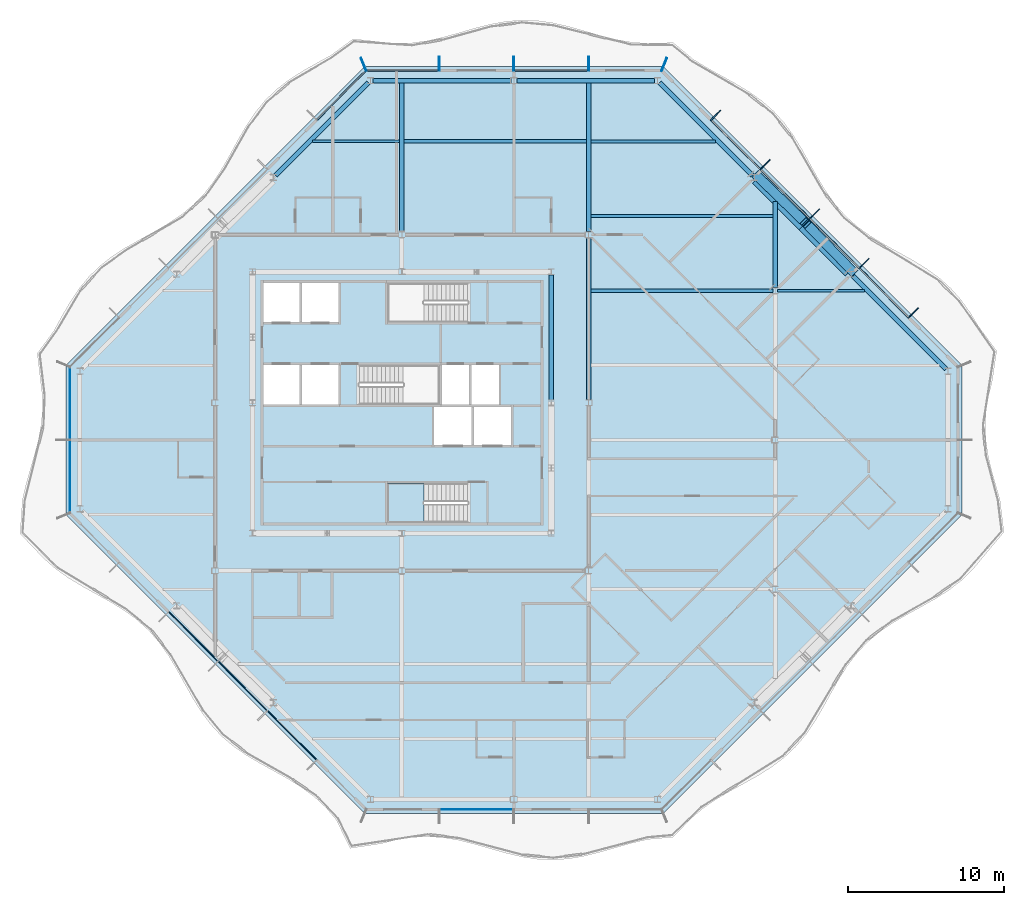
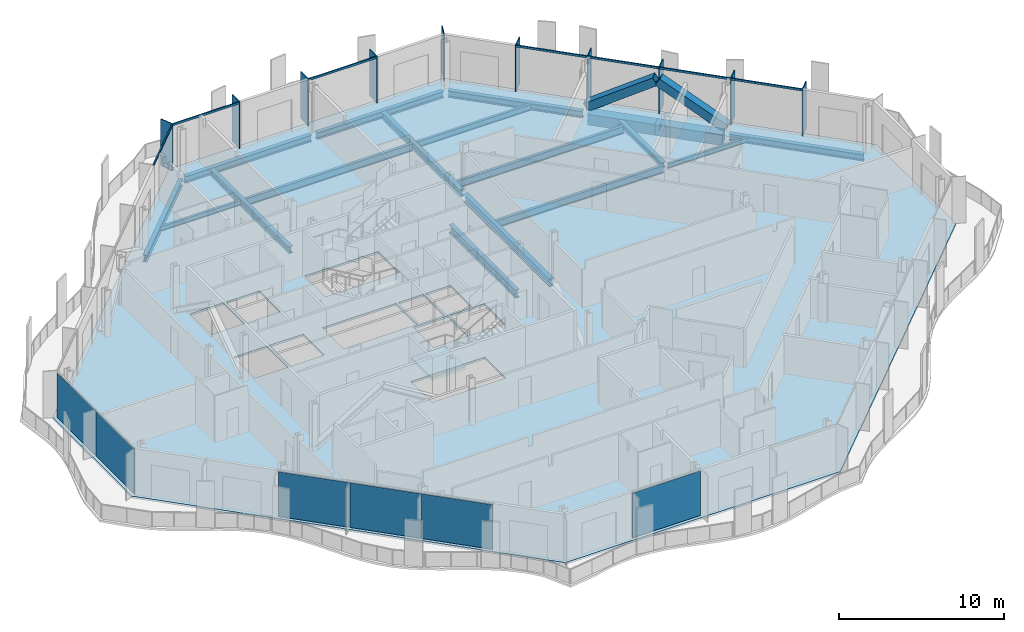
# One storey, part 5 of 17: 19 members, 18 beams, 6 plates, 2 slabs, 7 elements without a shape of their own.
"""IFC4 building model written with IfcOpenShell, lengths in metres."""

from ifc_helpers import new_model, si_unit, direction, frame, origin, origin_2d, place, context, subcontext, project, spatial, polyline, rectangle, hollow_rectangle, i_section, outline, extrude, material, layer, layer_set, material_profile, profile_set, type_object, element, aggregate, save


model = new_model("IFC4")

# Units and contexts
model_context = context("Model", 3, precision=1e-05, world=origin(), true_north=direction((0.0, 1.0)))
body_context = subcontext(model_context, "Body", "Model", "MODEL_VIEW")
ifc_project = project(units=[si_unit("LENGTHUNIT", "METRE"), si_unit("AREAUNIT", "SQUARE_METRE"), si_unit("VOLUMEUNIT", "CUBIC_METRE"), si_unit("PLANEANGLEUNIT", "RADIAN"), si_unit("MASSUNIT", "GRAM", prefix="KILO")], contexts=[model_context])

# Site, building, storey
site_placement = place(None, origin())
site = spatial("IfcSite", under=ifc_project, at=site_placement, CompositionType="ELEMENT")
building_placement = place(site_placement, origin())
building = spatial("IfcBuilding", under=site, at=building_placement, Name="Cairn Pilgrim Tower", CompositionType="ELEMENT")
storey_placement = place(building_placement, frame((0.0, 0.0, 235.800048828125)))
storey = spatial("IfcBuildingStorey", under=building, at=storey_placement, Name="L60", CompositionType="ELEMENT", Elevation=235.800048828125)

# Members
ifc_material_1 = material(Name="Structural steel S460M", Category="steel")
ifc_material_profile_1 = material_profile(ifc_material_1, hollow_rectangle(XDim=0.60009765625, YDim=0.60009765625, WallThickness=0.034912109375, at=origin_2d()), Name="BOX 600x600x35")
ifc_profile_set_1 = profile_set([ifc_material_profile_1], Name="Structural steel S460M")
member_type_1 = type_object("IfcMemberType", Name="BOX 600x600x35 BRACE", PredefinedType="BRACE", material=ifc_profile_set_1)
for number, where, z_axis, x_axis, name in (
    (1, (36.194580078125, 10.813232421875, 0.14990234375), (-0.593141693494, 0.611806144004, 0.523331800675), (-0.717973624454, -0.696070308653, 0.0), "XB-NE2-NE3-1"),
    (2, (30.01318359375, 16.99462890625, 0.14990234375), (0.611806144004, -0.593141693494, 0.523331800675), (0.696070308653, 0.717973624454, 0.0), "XB-NE2-NE3-2"),
):
    element("IfcMember", number, at=place(storey_placement, frame(where, z_axis=z_axis, x_axis=x_axis)), inside=storey, type_object=member_type_1, Name=name, PredefinedType="BRACE", context=body_context, shape_type="SweptSolid", body=[
        extrude(hollow_rectangle(XDim=0.60009765625, YDim=0.60009765625, WallThickness=0.034912109375, at=origin_2d()), origin(), (0.0, 0.0, 1.0), 5.035888671875),
    ])

# Beams
ifc_material_2 = material(Name="Structural steel S355J2", Category="steel")
ifc_material_profile_2 = material_profile(ifc_material_2, hollow_rectangle(XDim=0.699951171875, YDim=0.800048828125, WallThickness=0.0400390625, at=origin_2d()), Name="BOX 700x800x40")
ifc_profile_set_2 = profile_set([ifc_material_profile_2], Name="Structural steel S355J2")
beam_type_1 = type_object("IfcBeamType", Name="BOX 700x800x40 RING GIRDER", PredefinedType="SPANDREL", material=ifc_profile_set_2)
for number, where, z_axis, x_axis, name in (
    (3, (35.947265625, 10.780029296875, -0.550048828125), (-0.707106781187, 0.707106781187, 0.0), (-0.707106781187, -0.707106781187, 0.0), "RG3-NE2-NE3-1"),
    (4, (32.963623046875, 13.763671875, -0.550048828125), (-0.707106781187, 0.707106781187, 0.0), (-0.707106781187, -0.707106781187, 0.0), "RG3-NE2-NE3-2"),
):
    element("IfcBeam", number, at=place(storey_placement, frame(where, z_axis=z_axis, x_axis=x_axis)), inside=storey, type_object=beam_type_1, Name=name, PredefinedType="SPANDREL", context=body_context, shape_type="SweptSolid", body=[
        extrude(hollow_rectangle(XDim=0.699951171875, YDim=0.800048828125, WallThickness=0.0400390625, at=origin_2d()), origin(), (0.0, 0.0, 1.0), 4.219482421875),
    ])

# Curtain wall, members
ifc_material_3 = material(Name="Aluminium alloy 6063-T6 bronze anodised with Bronze tinted laminated low-E glass 8+16+8.8", Category="aluminium")
curtain_wall_type_1 = type_object("IfcCurtainWallType", Name="CHAMFER CORNER CURTAIN WALL", PredefinedType="NOTDEFINED", material=ifc_material_3)
curtain_wall_1_placement = place(storey_placement, origin())
curtain_wall_1 = element("IfcCurtainWall", 5, at=curtain_wall_1_placement, inside=storey, type_object=curtain_wall_type_1, Name="Chamfer Corner Curtain Wall NE", PredefinedType="NOTDEFINED")
ifc_material_4 = material(Name="Aluminium alloy 6063-T6 bronze anodised", Category="aluminium")
ifc_material_profile_3 = material_profile(ifc_material_4, rectangle(XDim=0.89990234375, YDim=0.06005859375, at=origin_2d()), Name="FIN MULLION 60x900 BRONZE")
ifc_profile_set_3 = profile_set([ifc_material_profile_3], Name="Aluminium alloy 6063-T6 bronze anodised")
member_type_2 = type_object("IfcMemberType", Name="FIN MULLION 60x900 BRONZE", PredefinedType="MULLION", material=ifc_profile_set_3)
member_1_placement = place(storey_placement, frame((40.0712890625, 8.1689453125, 0.0), z_axis=(0.0, 0.0, 1.0), x_axis=(0.707106781187, 0.707106781187, 0.0)))
member_1 = element("IfcMember", 6, at=member_1_placement, type_object=member_type_2, Name="Fin mullion NE2", PredefinedType="MULLION", context=body_context, shape_type="SweptSolid", body=[
    extrude(rectangle(XDim=0.89990234375, YDim=0.06005859375, at=origin_2d()), origin(), (0.0, 0.0, 1.0), 3.449951171875),
])
member_2_placement = place(storey_placement, frame((36.895751953125, 11.3447265625, 0.0), z_axis=(0.0, 0.0, 1.0), x_axis=(0.707106781187, 0.707106781187, 0.0)))
member_2 = element("IfcMember", 7, at=member_2_placement, type_object=member_type_2, Name="Fin mullion NE3", PredefinedType="MULLION", context=body_context, shape_type="SweptSolid", body=[
    extrude(rectangle(XDim=0.89990234375, YDim=0.06005859375, at=origin_2d()), origin(), (0.0, 0.0, 1.0), 3.449951171875),
])
member_3_placement = place(storey_placement, frame((33.72021484375, 14.520263671875, 0.0), z_axis=(0.0, 0.0, 1.0), x_axis=(0.707106781187, 0.707106781187, 0.0)))
member_3 = element("IfcMember", 8, at=member_3_placement, type_object=member_type_2, Name="Fin mullion NE4", PredefinedType="MULLION", context=body_context, shape_type="SweptSolid", body=[
    extrude(rectangle(XDim=0.89990234375, YDim=0.06005859375, at=origin_2d()), origin(), (0.0, 0.0, 1.0), 3.449951171875),
])
member_4_placement = place(storey_placement, frame((30.544677734375, 17.69580078125, 0.0), z_axis=(0.0, 0.0, 1.0), x_axis=(0.707106781187, 0.707106781187, 0.0)))
member_4 = element("IfcMember", 9, at=member_4_placement, type_object=member_type_2, Name="Fin mullion NE5", PredefinedType="MULLION", context=body_context, shape_type="SweptSolid", body=[
    extrude(rectangle(XDim=0.89990234375, YDim=0.06005859375, at=origin_2d()), origin(), (0.0, 0.0, 1.0), 3.449951171875),
])
member_5_placement = place(storey_placement, frame((27.369140625, 20.871337890625, 0.0), z_axis=(0.0, 0.0, 1.0), x_axis=(0.707106781187, 0.707106781187, 0.0)))
member_5 = element("IfcMember", 10, at=member_5_placement, type_object=member_type_2, Name="Fin mullion NE6", PredefinedType="MULLION", context=body_context, shape_type="SweptSolid", body=[
    extrude(rectangle(XDim=0.89990234375, YDim=0.06005859375, at=origin_2d()), origin(), (0.0, 0.0, 1.0), 3.449951171875),
])

curtain_wall_type_2 = type_object("IfcCurtainWallType", Name="TOWER STICK CURTAIN WALL NS", PredefinedType="NOTDEFINED", material=ifc_material_3)
curtain_wall_2_placement = place(storey_placement, origin())
curtain_wall_2 = element("IfcCurtainWall", 11, at=curtain_wall_2_placement, inside=storey, type_object=curtain_wall_type_2, Name="Tower Stick Curtain Wall Ns N", PredefinedType="NOTDEFINED")
member_6_placement = place(storey_placement, frame((24.05712890625, 24.137939453125, 0.0), z_axis=(0.0, 0.0, 1.0), x_axis=(0.382683432365, 0.923879532511, 0.0)))
member_6 = element("IfcMember", 12, at=member_6_placement, type_object=member_type_2, Name="Fin mullion N1", PredefinedType="MULLION", context=body_context, shape_type="SweptSolid", body=[
    extrude(rectangle(XDim=0.89990234375, YDim=0.06005859375, at=origin_2d()), origin(), (0.0, 0.0, 1.0), 3.449951171875),
])
member_7_placement = place(storey_placement, frame((19.199951171875, 24.169921875, 0.0), z_axis=(0.0, 0.0, 1.0), x_axis=(0.0, 1.0, 0.0)))
member_7 = element("IfcMember", 13, at=member_7_placement, type_object=member_type_2, Name="Fin mullion N2", PredefinedType="MULLION", context=body_context, shape_type="SweptSolid", body=[
    extrude(rectangle(XDim=0.89990234375, YDim=0.06005859375, at=origin_2d()), origin(), (0.0, 0.0, 1.0), 3.449951171875),
])
member_8_placement = place(storey_placement, frame((14.39990234375, 24.169921875, 0.0), z_axis=(0.0, 0.0, 1.0), x_axis=(0.0, 1.0, 0.0)))
member_8 = element("IfcMember", 14, at=member_8_placement, type_object=member_type_2, Name="Fin mullion N3", PredefinedType="MULLION", context=body_context, shape_type="SweptSolid", body=[
    extrude(rectangle(XDim=0.89990234375, YDim=0.06005859375, at=origin_2d()), origin(), (0.0, 0.0, 1.0), 3.449951171875),
])
member_9_placement = place(storey_placement, frame((9.60009765625, 24.169921875, 0.0), z_axis=(0.0, 0.0, 1.0), x_axis=(0.0, 1.0, 0.0)))
member_9 = element("IfcMember", 15, at=member_9_placement, type_object=member_type_2, Name="Fin mullion N4", PredefinedType="MULLION", context=body_context, shape_type="SweptSolid", body=[
    extrude(rectangle(XDim=0.89990234375, YDim=0.06005859375, at=origin_2d()), origin(), (0.0, 0.0, 1.0), 3.449951171875),
])

# Curtain wall, member
curtain_wall_3_placement = place(storey_placement, origin())
curtain_wall_3 = element("IfcCurtainWall", 16, at=curtain_wall_3_placement, inside=storey, type_object=curtain_wall_type_1, Name="Chamfer Corner Curtain Wall NW", PredefinedType="NOTDEFINED")
member_10_placement = place(storey_placement, frame((4.742919921875, 24.137939453125, 0.0), z_axis=(0.0, 0.0, 1.0), x_axis=(-0.382683432365, 0.923879532511, 0.0)))
member_10 = element("IfcMember", 17, at=member_10_placement, type_object=member_type_2, Name="Fin mullion NW1", PredefinedType="MULLION", context=body_context, shape_type="SweptSolid", body=[
    extrude(rectangle(XDim=0.89990234375, YDim=0.06005859375, at=origin_2d()), origin(), (0.0, 0.0, 1.0), 3.449951171875),
])

# Beams
ifc_material_profile_4 = material_profile(ifc_material_2, i_section(OverallWidth=0.300048828125, OverallDepth=0.39990234375, WebThickness=0.013427734375, FlangeThickness=0.02392578125, FilletRadius=0.027099609375, at=origin_2d()), Name="HEB 400")
ifc_profile_set_4 = profile_set([ifc_material_profile_4], Name="Structural steel S355J2")
beam_type_2 = type_object("IfcBeamType", Name="HEB 400 GIRDER", PredefinedType="BEAM", material=ifc_profile_set_4)
beam_1_placement = place(storey_placement, frame((31.199951171875, 9.799560546875, -0.35009765625), z_axis=(0.0, 1.0, 0.0), x_axis=(-1.0, 0.0, 0.0)))
element("IfcBeam", 18, at=beam_1_placement, inside=storey, type_object=beam_type_2, Name="PG5-4", PredefinedType="BEAM", context=body_context, shape_type="SweptSolid", body=[
    extrude(i_section(OverallWidth=0.300048828125, OverallDepth=0.39990234375, WebThickness=0.013427734375, FlangeThickness=0.02392578125, FilletRadius=0.027099609375, at=origin_2d()), origin(), (0.0, 0.0, 1.0), 5.545654296875),
])
ifc_material_profile_5 = material_profile(ifc_material_2, i_section(OverallWidth=0.300048828125, OverallDepth=0.5, WebThickness=0.014404296875, FlangeThickness=0.028076171875, FilletRadius=0.027099609375, at=origin_2d()), Name="HEB 500")
ifc_profile_set_5 = profile_set([ifc_material_profile_5], Name="Structural steel S355J2")
beam_type_3 = type_object("IfcBeamType", Name="HEB 500 GIRDER", PredefinedType="BEAM", material=ifc_profile_set_5)
for number, where, z_axis, x_axis, name in (
    (19, (7.199951171875, 13.39697265625, -0.400146484375), (0.0, 1.0, 0.0), (-1.0, 0.0, 0.0), "PG3-2"),
    (20, (19.199951171875, 13.39697265625, -0.400146484375), (0.0, 1.0, 0.0), (-1.0, 0.0, 0.0), "PG4-4"),
):
    element("IfcBeam", number, at=place(storey_placement, frame(where, z_axis=z_axis, x_axis=x_axis)), inside=storey, type_object=beam_type_3, Name=name, PredefinedType="BEAM", context=body_context, shape_type="SweptSolid", body=[
        extrude(i_section(OverallWidth=0.300048828125, OverallDepth=0.5, WebThickness=0.014404296875, FlangeThickness=0.028076171875, FilletRadius=0.027099609375, at=origin_2d()), origin(), (0.0, 0.0, 1.0), 9.5830078125),
    ])
ifc_material_profile_6 = material_profile(ifc_material_2, i_section(OverallWidth=0.300048828125, OverallDepth=0.5, WebThickness=0.014404296875, FlangeThickness=0.028076171875, FilletRadius=0.027099609375, at=origin_2d()), Name="HEB 500")
ifc_profile_set_6 = profile_set([ifc_material_profile_6], Name="Structural steel S355J2")
beam_type_4 = type_object("IfcBeamType", Name="HEB 500 RING GIRDER", PredefinedType="SPANDREL", material=ifc_profile_set_6)
for number, where, z_axis, x_axis, name in (
    (21, (42.17138671875, 4.555908203125, -0.400146484375), (-0.707106781187, 0.707106781187, 0.0), (-0.707106781187, -0.707106781187, 0.0), "RG3-NE1-NE2"),
    (22, (29.722900390625, 17.00439453125, -0.400146484375), (-0.707106781187, 0.707106781187, 0.0), (-0.707106781187, -0.707106781187, 0.0), "RG3-NE3-N1"),
):
    element("IfcBeam", number, at=place(storey_placement, frame(where, z_axis=z_axis, x_axis=x_axis)), inside=storey, type_object=beam_type_4, Name=name, PredefinedType="SPANDREL", context=body_context, shape_type="SweptSolid", body=[
        extrude(i_section(OverallWidth=0.300048828125, OverallDepth=0.5, WebThickness=0.014404296875, FlangeThickness=0.028076171875, FilletRadius=0.027099609375, at=origin_2d()), origin(), (0.0, 0.0, 1.0), 8.438720703125),
    ])
beam_2_placement = place(storey_placement, frame((23.4453125, 23.10009765625, -0.400146484375), z_axis=(-1.0, 0.0, 0.0), x_axis=(0.0, -1.0, 0.0)))
element("IfcBeam", 23, at=beam_2_placement, inside=storey, type_object=beam_type_4, Name="RG3-N1-N2", PredefinedType="SPANDREL", context=body_context, shape_type="SweptSolid", body=[
    extrude(i_section(OverallWidth=0.300048828125, OverallDepth=0.5, WebThickness=0.014404296875, FlangeThickness=0.028076171875, FilletRadius=0.027099609375, at=origin_2d()), origin(), (0.0, 0.0, 1.0), 8.863525390625),
])
beam_3_placement = place(storey_placement, frame((14.21826171875, 23.10009765625, -0.400146484375), z_axis=(-1.0, 0.0, 0.0), x_axis=(0.0, -1.0, 0.0)))
element("IfcBeam", 24, at=beam_3_placement, inside=storey, type_object=beam_type_4, Name="RG3-N2-NW1", PredefinedType="SPANDREL", context=body_context, shape_type="SweptSolid", body=[
    extrude(i_section(OverallWidth=0.300048828125, OverallDepth=0.5, WebThickness=0.014404296875, FlangeThickness=0.028076171875, FilletRadius=0.027099609375, at=origin_2d()), origin(), (0.0, 0.0, 1.0), 8.86376953125),
])
beam_4_placement = place(storey_placement, frame((5.044189453125, 22.971435546875, -0.400146484375), z_axis=(-0.707106781187, -0.707106781187, 0.0), x_axis=(0.707106781187, -0.707106781187, 0.0)))
element("IfcBeam", 25, at=beam_4_placement, inside=storey, type_object=beam_type_4, Name="RG3-NW1-NW2", PredefinedType="SPANDREL", context=body_context, shape_type="SweptSolid", body=[
    extrude(i_section(OverallWidth=0.300048828125, OverallDepth=0.5, WebThickness=0.014404296875, FlangeThickness=0.028076171875, FilletRadius=0.027099609375, at=origin_2d()), origin(), (0.0, 0.0, 1.0), 8.438720703125),
])
ifc_material_profile_7 = material_profile(ifc_material_2, i_section(OverallWidth=0.300048828125, OverallDepth=0.60009765625, WebThickness=0.015380859375, FlangeThickness=0.030029296875, FilletRadius=0.027099609375, at=origin_2d()), Name="HEB 600")
ifc_profile_set_7 = profile_set([ifc_material_profile_7], Name="Structural steel S355J2")
beam_type_5 = type_object("IfcBeamType", Name="HEB 600 CORE BEAM", PredefinedType="BEAM", material=ifc_profile_set_7)
beam_5_placement = place(storey_placement, frame((16.800048828125, 2.5791015625, -0.449951171875), z_axis=(0.0, 1.0, 0.0), x_axis=(-1.0, 0.0, 0.0)))
element("IfcBeam", 26, at=beam_5_placement, inside=storey, type_object=beam_type_5, Name="CB-4", PredefinedType="BEAM", context=body_context, shape_type="SweptSolid", body=[
    extrude(i_section(OverallWidth=0.300048828125, OverallDepth=0.60009765625, WebThickness=0.015380859375, FlangeThickness=0.030029296875, FilletRadius=0.027099609375, at=origin_2d()), origin(), (0.0, 0.0, 1.0), 8.041748046875),
])
ifc_material_profile_8 = material_profile(ifc_material_2, i_section(OverallWidth=0.300048828125, OverallDepth=0.60009765625, WebThickness=0.015380859375, FlangeThickness=0.030029296875, FilletRadius=0.027099609375, at=origin_2d()), Name="HEB 600")
ifc_profile_set_8 = profile_set([ifc_material_profile_8], Name="Structural steel S355J2")
beam_type_6 = type_object("IfcBeamType", Name="HEB 600 GIRDER", PredefinedType="BEAM", material=ifc_profile_set_8)
beam_6_placement = place(storey_placement, frame((19.199951171875, 2.596923828125, -0.449951171875), z_axis=(0.0, 1.0, 0.0), x_axis=(-1.0, 0.0, 0.0)))
element("IfcBeam", 27, at=beam_6_placement, inside=storey, type_object=beam_type_6, Name="PG4-3", PredefinedType="BEAM", context=body_context, shape_type="SweptSolid", body=[
    extrude(i_section(OverallWidth=0.300048828125, OverallDepth=0.60009765625, WebThickness=0.015380859375, FlangeThickness=0.030029296875, FilletRadius=0.027099609375, at=origin_2d()), origin(), (0.0, 0.0, 1.0), 10.406005859375),
])
ifc_material_profile_9 = material_profile(ifc_material_2, i_section(OverallWidth=0.169921875, OverallDepth=0.360107421875, WebThickness=0.008056640625, FlangeThickness=0.0126953125, FilletRadius=0.01806640625, at=origin_2d()), Name="IPE 360")
ifc_profile_set_9 = profile_set([ifc_material_profile_9], Name="Structural steel S355J2")
beam_type_7 = type_object("IfcBeamType", Name="IPE 360 SECONDARY BEAM", PredefinedType="JOIST", material=ifc_profile_set_9)
beam_7_placement = place(storey_placement, frame((31.35009765625, 9.60009765625, -0.330078125), z_axis=(1.0, 0.0, 0.0), x_axis=(0.0, 1.0, 0.0)))
element("IfcBeam", 28, at=beam_7_placement, inside=storey, type_object=beam_type_7, Name="SB7-3", PredefinedType="JOIST", context=body_context, shape_type="SweptSolid", body=[
    extrude(i_section(OverallWidth=0.169921875, OverallDepth=0.360107421875, WebThickness=0.008056640625, FlangeThickness=0.0126953125, FilletRadius=0.01806640625, at=origin_2d()), origin(), (0.0, 0.0, 1.0), 5.594970703125),
])
beam_8_placement = place(storey_placement, frame((1.454833984375, 19.199951171875, -0.330078125), z_axis=(1.0, 0.0, 0.0), x_axis=(0.0, 1.0, 0.0)))
element("IfcBeam", 29, at=beam_8_placement, inside=storey, type_object=beam_type_7, Name="SB9-1", PredefinedType="JOIST", context=body_context, shape_type="SweptSolid", body=[
    extrude(i_section(OverallWidth=0.169921875, OverallDepth=0.360107421875, WebThickness=0.008056640625, FlangeThickness=0.0126953125, FilletRadius=0.01806640625, at=origin_2d()), origin(), (0.0, 0.0, 1.0), 5.59521484375),
])
ifc_material_profile_10 = material_profile(ifc_material_2, i_section(OverallWidth=0.18994140625, OverallDepth=0.449951171875, WebThickness=0.009521484375, FlangeThickness=0.0146484375, FilletRadius=0.02099609375, at=origin_2d()), Name="IPE 450")
ifc_profile_set_10 = profile_set([ifc_material_profile_10], Name="Structural steel S355J2")
beam_type_8 = type_object("IfcBeamType", Name="IPE 450 SECONDARY BEAM", PredefinedType="JOIST", material=ifc_profile_set_10)
beam_9_placement = place(storey_placement, frame((19.35009765625, 19.199951171875, -0.375), z_axis=(1.0, 0.0, 0.0), x_axis=(0.0, 1.0, 0.0)))
element("IfcBeam", 30, at=beam_9_placement, inside=storey, type_object=beam_type_8, Name="SB9-3", PredefinedType="JOIST", context=body_context, shape_type="SweptSolid", body=[
    extrude(i_section(OverallWidth=0.18994140625, OverallDepth=0.449951171875, WebThickness=0.009521484375, FlangeThickness=0.0146484375, FilletRadius=0.02099609375, at=origin_2d()), origin(), (0.0, 0.0, 1.0), 7.9951171875),
])
ifc_material_profile_11 = material_profile(ifc_material_2, i_section(OverallWidth=0.2099609375, OverallDepth=0.550048828125, WebThickness=0.010986328125, FlangeThickness=0.01708984375, FilletRadius=0.02392578125, at=origin_2d()), Name="IPE 550")
ifc_profile_set_11 = profile_set([ifc_material_profile_11], Name="Structural steel S355J2")
beam_type_9 = type_object("IfcBeamType", Name="IPE 550 SECONDARY BEAM", PredefinedType="JOIST", material=ifc_profile_set_11)
for number, where, z_axis, x_axis, name in (
    (31, (19.35009765625, 9.60009765625, -0.425048828125), (1.0, 0.0, 0.0), (0.0, 1.0, 0.0), "SB7-2"),
    (32, (19.35009765625, 14.39990234375, -0.425048828125), (1.0, 0.0, 0.0), (0.0, 1.0, 0.0), "SB8-1"),
    (33, (7.35009765625, 19.199951171875, -0.425048828125), (1.0, 0.0, 0.0), (0.0, 1.0, 0.0), "SB9-2"),
):
    element("IfcBeam", number, at=place(storey_placement, frame(where, z_axis=z_axis, x_axis=x_axis)), inside=storey, type_object=beam_type_9, Name=name, PredefinedType="JOIST", context=body_context, shape_type="SweptSolid", body=[
        extrude(i_section(OverallWidth=0.2099609375, OverallDepth=0.550048828125, WebThickness=0.010986328125, FlangeThickness=0.01708984375, FilletRadius=0.02392578125, at=origin_2d()), origin(), (0.0, 0.0, 1.0), 11.699951171875),
    ])

# Member
ifc_material_profile_12 = material_profile(ifc_material_4, rectangle(XDim=0.080078125, YDim=0.14990234375, at=origin_2d()), Name="TRANSOM 80x150 BRONZE")
ifc_profile_set_12 = profile_set([ifc_material_profile_12], Name="Aluminium alloy 6063-T6 bronze anodised")
member_type_3 = type_object("IfcMemberType", Name="TRANSOM 80x150 BRONZE", PredefinedType="USERDEFINED", material=ifc_profile_set_12)
member_11_placement = place(storey_placement, frame((39.753173828125, 7.893310546875, 3.375), z_axis=(-0.707106781187, 0.707106781187, 0.0), x_axis=(-0.707106781187, -0.707106781187, 0.0)))
member_11 = element("IfcMember", 34, at=member_11_placement, type_object=member_type_3, Name="Transom NE2", ObjectType="TRANSOM", PredefinedType="USERDEFINED", context=body_context, shape_type="SweptSolid", body=[
    extrude(rectangle(XDim=0.080078125, YDim=0.14990234375, at=origin_2d()), origin(), (0.0, 0.0, 1.0), 4.430908203125),
])

member_12_placement = place(storey_placement, frame((36.57763671875, 11.06884765625, 3.375), z_axis=(-0.707134329907, 0.707079231393, 0.0), x_axis=(-0.707079231393, -0.707134329907, 0.0)))
member_12 = element("IfcMember", 35, at=member_12_placement, type_object=member_type_3, Name="Transom NE3", ObjectType="TRANSOM", PredefinedType="USERDEFINED", context=body_context, shape_type="SweptSolid", body=[
    extrude(rectangle(XDim=0.080078125, YDim=0.14990234375, at=origin_2d()), origin(), (0.0, 0.0, 1.0), 4.430908203125),
])

member_13_placement = place(storey_placement, frame((33.402099609375, 14.244384765625, 3.375), z_axis=(-0.707106781187, 0.707106781187, 0.0), x_axis=(-0.707106781187, -0.707106781187, 0.0)))
member_13 = element("IfcMember", 36, at=member_13_placement, type_object=member_type_3, Name="Transom NE4", ObjectType="TRANSOM", PredefinedType="USERDEFINED", context=body_context, shape_type="SweptSolid", body=[
    extrude(rectangle(XDim=0.080078125, YDim=0.14990234375, at=origin_2d()), origin(), (0.0, 0.0, 1.0), 4.43115234375),
])

member_14_placement = place(storey_placement, frame((30.226318359375, 17.419921875, 3.375), z_axis=(-0.707079231393, 0.707134329907, 0.0), x_axis=(-0.707134329907, -0.707079231393, 0.0)))
member_14 = element("IfcMember", 37, at=member_14_placement, type_object=member_type_3, Name="Transom NE5", ObjectType="TRANSOM", PredefinedType="USERDEFINED", context=body_context, shape_type="SweptSolid", body=[
    extrude(rectangle(XDim=0.080078125, YDim=0.14990234375, at=origin_2d()), origin(), (0.0, 0.0, 1.0), 4.430908203125),
])

aggregate(curtain_wall_1, [member_1, member_2, member_3, member_4, member_5, member_11, member_12, member_13, member_14])

member_15_placement = place(storey_placement, frame((19.169921875, 23.75, 3.375), z_axis=(-1.0, 0.0, 0.0), x_axis=(0.0, -1.0, 0.0)))
member_15 = element("IfcMember", 38, at=member_15_placement, type_object=member_type_3, Name="Transom N2", ObjectType="TRANSOM", PredefinedType="USERDEFINED", context=body_context, shape_type="SweptSolid", body=[
    extrude(rectangle(XDim=0.080078125, YDim=0.14990234375, at=origin_2d()), origin(), (0.0, 0.0, 1.0), 4.739990234375),
])

member_16_placement = place(storey_placement, frame((9.570068359375, 23.75, 3.375), z_axis=(-1.0, 0.0, 0.0), x_axis=(0.0, -1.0, 0.0)))
member_16 = element("IfcMember", 39, at=member_16_placement, type_object=member_type_3, Name="Transom N4", ObjectType="TRANSOM", PredefinedType="USERDEFINED", context=body_context, shape_type="SweptSolid", body=[
    extrude(rectangle(XDim=0.080078125, YDim=0.14990234375, at=origin_2d()), origin(), (0.0, 0.0, 1.0), 4.62646484375),
])

aggregate(curtain_wall_2, [member_6, member_7, member_8, member_9, member_15, member_16])

member_17_placement = place(storey_placement, frame((4.875244140625, 23.7216796875, 3.375), z_axis=(-0.707106781187, -0.707106781187, 0.0), x_axis=(0.707106781187, -0.707106781187, 0.0)))
member_17 = element("IfcMember", 40, at=member_17_placement, type_object=member_type_3, Name="Transom NW1", ObjectType="TRANSOM", PredefinedType="USERDEFINED", context=body_context, shape_type="SweptSolid", body=[
    extrude(rectangle(XDim=0.080078125, YDim=0.14990234375, at=origin_2d()), origin(), (0.0, 0.0, 1.0), 4.4208984375),
])

aggregate(curtain_wall_3, [member_10, member_17])

# Slab
ifc_material_5 = material(Name="Concrete C35/45", Category="concrete")
ifc_layer_1 = layer(ifc_material_5, 0.14990234375)
ifc_layer_set_1 = layer_set([ifc_layer_1], Name="COMPOSITE FLOOR SLAB 150")
slab_type_1 = type_object("IfcSlabType", Name="COMPOSITE FLOOR SLAB 150", PredefinedType="FLOOR", material=ifc_layer_set_1)
slab_1_placement = place(storey_placement, frame((0.0, 0.0, -0.150146484375)))
element("IfcSlab", 41, at=slab_1_placement, inside=storey, type_object=slab_type_1, Name="FLOOR SLAB L60", PredefinedType="FLOOR", context=body_context, shape_type="SweptSolid", body=[
    extrude(outline(polyline([(4.800048828125, -24.0), (24.0, -24.0), (43.199951171875, -4.800048828125), (43.199951171875, 4.800048828125), (24.0, 24.0), (4.800048828125, 24.0), (-14.39990234375, 4.800048828125), (-14.39990234375, -4.800048828125), (4.800048828125, -24.0)]), holes=[polyline([(9.27490234375, -0.324951171875), (11.675048828125, -0.324951171875), (11.675048828125, 2.125), (9.27490234375, 2.125), (9.27490234375, -0.324951171875)]), polyline([(11.824951171875, -0.324951171875), (14.22509765625, -0.324951171875), (14.22509765625, 2.125), (11.824951171875, 2.125), (11.824951171875, -0.324951171875)]), polyline([(-1.72509765625, 2.27490234375), (0.625, 2.27490234375), (0.625, 4.824951171875), (-1.72509765625, 4.824951171875), (-1.72509765625, 2.27490234375)]), polyline([(0.77490234375, 2.27490234375), (3.125, 2.27490234375), (3.125, 4.824951171875), (0.77490234375, 4.824951171875), (0.77490234375, 2.27490234375)]), polyline([(-1.72509765625, 7.574951171875), (0.625, 7.574951171875), (0.625, 10.10009765625), (-1.72509765625, 10.10009765625), (-1.72509765625, 7.574951171875)]), polyline([(0.77490234375, 7.574951171875), (3.125, 7.574951171875), (3.125, 10.10009765625), (0.77490234375, 10.10009765625), (0.77490234375, 7.574951171875)]), polyline([(9.77490234375, 2.27490234375), (11.52490234375, 2.27490234375), (11.52490234375, 4.824951171875), (9.77490234375, 4.824951171875), (9.77490234375, 2.27490234375)]), polyline([(11.675048828125, 2.27490234375), (13.425048828125, 2.27490234375), (13.425048828125, 4.824951171875), (11.675048828125, 4.824951171875), (11.675048828125, 2.27490234375)]), polyline([(11.424560546875, -2.77490234375), (6.27490234375, -2.77490234375), (6.27490234375, -5.300048828125), (11.424560546875, -5.300048828125), (11.424560546875, -2.77490234375)]), polyline([(4.4755859375, 2.27490234375), (9.625, 2.27490234375), (9.625, 4.824951171875), (4.4755859375, 4.824951171875), (4.4755859375, 2.27490234375)]), polyline([(11.424560546875, 10.10009765625), (6.27490234375, 10.10009765625), (6.27490234375, 7.574951171875), (11.424560546875, 7.574951171875), (11.424560546875, 10.10009765625)])]), origin(), (0.0, 0.0, 1.0), 0.150146484375),
])

# Curtain wall, plates
curtain_wall_4_placement = place(storey_placement, origin())
curtain_wall_4 = element("IfcCurtainWall", 42, at=curtain_wall_4_placement, inside=storey, type_object=curtain_wall_type_1, Name="Chamfer Corner Curtain Wall SW", PredefinedType="NOTDEFINED")
ifc_material_6 = material(Name="Bronze anodised aluminium spandrel panel with mineral wool insulation", Category="aluminium")
ifc_layer_2 = layer(ifc_material_6, 0.06005859375)
ifc_layer_set_2 = layer_set([ifc_layer_2], Name="SPANDREL PANEL 4431x3300")
plate_type_1 = type_object("IfcPlateType", Name="SPANDREL PANEL 4431x3300", PredefinedType="CURTAIN_PANEL", material=ifc_layer_set_2)
plate_1_placement = place(storey_placement, frame((-6.2109375, -12.635498046875, 0.0), z_axis=(0.0, 0.0, 1.0), x_axis=(0.707106781187, -0.707106781187, 0.0)))
plate_1 = element("IfcPlate", 43, at=plate_1_placement, type_object=plate_type_1, Name="Spandrel Panel SW3-1", PredefinedType="CURTAIN_PANEL", context=body_context, shape_type="SweptSolid", body=[
    extrude(rectangle(XDim=4.430908203125, YDim=0.06005859375, at=origin_2d()), origin(), (0.0, 0.0, 1.0), 3.300048828125),
])
plate_2_placement = place(storey_placement, frame((-3.035400390625, -15.81103515625, 0.0), z_axis=(0.0, 0.0, 1.0), x_axis=(0.707106781187, -0.707106781187, 0.0)))
plate_2 = element("IfcPlate", 44, at=plate_2_placement, type_object=plate_type_1, Name="Spandrel Panel SW4-1", PredefinedType="CURTAIN_PANEL", context=body_context, shape_type="SweptSolid", body=[
    extrude(rectangle(XDim=4.430908203125, YDim=0.06005859375, at=origin_2d()), origin(), (0.0, 0.0, 1.0), 3.300048828125),
])
plate_3_placement = place(storey_placement, frame((0.14013671875, -18.986572265625, 0.0), z_axis=(0.0, 0.0, 1.0), x_axis=(0.707106781187, -0.707106781187, 0.0)))
plate_3 = element("IfcPlate", 45, at=plate_3_placement, type_object=plate_type_1, Name="Spandrel Panel SW5-1", PredefinedType="CURTAIN_PANEL", context=body_context, shape_type="SweptSolid", body=[
    extrude(rectangle(XDim=4.430908203125, YDim=0.06005859375, at=origin_2d()), origin(), (0.0, 0.0, 1.0), 3.300048828125),
])
aggregate(curtain_wall_4, [plate_1, plate_2, plate_3])

# Stair, slab
ifc_material_7 = material(Name="Concrete C32/40", Category="concrete")
stair_type = type_object("IfcStairType", Name="EXIT STAIR 1200", PredefinedType="HALF_TURN_STAIR", material=ifc_material_7)
stair_placement = place(storey_placement, origin())
stair = element("IfcStair", 46, at=stair_placement, inside=storey, type_object=stair_type, Name="L60 Exit Stair A", PredefinedType="HALF_TURN_STAIR")
ifc_layer_3 = layer(ifc_material_7, 0.199951171875)
ifc_layer_set_3 = layer_set([ifc_layer_3], Name="STAIR LANDING 200")
slab_type_2 = type_object("IfcSlabType", Name="STAIR LANDING 200", PredefinedType="LANDING", material=ifc_layer_set_3)
slab_2_placement = place(storey_placement, frame((0.0, 0.0, 1.599853515625)))
slab_2 = element("IfcSlab", 47, at=slab_2_placement, type_object=slab_type_2, Name="ST-A landing 1", PredefinedType="LANDING", context=body_context, shape_type="SweptSolid", body=[
    extrude(outline(polyline([(8.625, -2.77490234375), (6.27490234375, -2.77490234375), (6.27490234375, -5.300048828125), (8.625, -5.300048828125), (8.625, -2.77490234375)])), origin(), (0.0, 0.0, 1.0), 0.2001953125),
])
aggregate(stair, [slab_2])

# Curtain wall, plates
curtain_wall_type_3 = type_object("IfcCurtainWallType", Name="TOWER STICK CURTAIN WALL EW", PredefinedType="NOTDEFINED", material=ifc_material_3)
curtain_wall_5_placement = place(storey_placement, origin())
curtain_wall_5 = element("IfcCurtainWall", 48, at=curtain_wall_5_placement, inside=storey, type_object=curtain_wall_type_3, Name="Tower Stick Curtain Wall Ew W", PredefinedType="NOTDEFINED")
ifc_material_8 = material(Name="Bronze tinted laminated low-E glass 8+16+8.8", Category="glass")
ifc_layer_4 = layer(ifc_material_8, 0.033935546875)
ifc_layer_set_4 = layer_set([ifc_layer_4], Name="VISION GLAZING 4626x3300")
plate_type_2 = type_object("IfcPlateType", Name="VISION GLAZING 4626x3300", PredefinedType="CURTAIN_PANEL", material=ifc_layer_set_4)
plate_4_placement = place(storey_placement, frame((-14.14990234375, 2.34326171875, 0.0), z_axis=(0.0, 0.0, 1.0), x_axis=(0.0, -1.0, 0.0)))
plate_4 = element("IfcPlate", 49, at=plate_4_placement, type_object=plate_type_2, Name="Vision Glazing W1-1", PredefinedType="CURTAIN_PANEL", context=body_context, shape_type="SweptSolid", body=[
    extrude(rectangle(XDim=4.62646484375, YDim=0.033935546875, at=origin_2d()), origin(), (0.0, 0.0, 1.0), 3.300048828125),
])
plate_5_placement = place(storey_placement, frame((-14.14990234375, -2.34326171875, 0.0), z_axis=(0.0, 0.0, 1.0), x_axis=(0.0, -1.0, 0.0)))
plate_5 = element("IfcPlate", 50, at=plate_5_placement, type_object=plate_type_2, Name="Vision Glazing W2-1", PredefinedType="CURTAIN_PANEL", context=body_context, shape_type="SweptSolid", body=[
    extrude(rectangle(XDim=4.62646484375, YDim=0.033935546875, at=origin_2d()), origin(), (0.0, 0.0, 1.0), 3.300048828125),
])
aggregate(curtain_wall_5, [plate_4, plate_5])

# Curtain wall, plate
curtain_wall_6_placement = place(storey_placement, origin())
curtain_wall_6 = element("IfcCurtainWall", 51, at=curtain_wall_6_placement, inside=storey, type_object=curtain_wall_type_2, Name="Tower Stick Curtain Wall Ns S", PredefinedType="NOTDEFINED")
ifc_layer_5 = layer(ifc_material_8, 0.033935546875)
ifc_layer_set_5 = layer_set([ifc_layer_5], Name="VISION GLAZING 4740x3300")
plate_type_3 = type_object("IfcPlateType", Name="VISION GLAZING 4740x3300", PredefinedType="CURTAIN_PANEL", material=ifc_layer_set_5)
plate_6_placement = place(storey_placement, frame((12.0, -23.75, 0.0), z_axis=(0.0, 0.0, 1.0), x_axis=(1.0, 0.0, 0.0)))
plate_6 = element("IfcPlate", 52, at=plate_6_placement, type_object=plate_type_3, Name="Vision Glazing S2-1", PredefinedType="CURTAIN_PANEL", context=body_context, shape_type="SweptSolid", body=[
    extrude(rectangle(XDim=4.739990234375, YDim=0.033935546875, at=origin_2d()), origin(), (0.0, 0.0, 1.0), 3.300048828125),
])
aggregate(curtain_wall_6, [plate_6])

save(model, "model.ifc")
